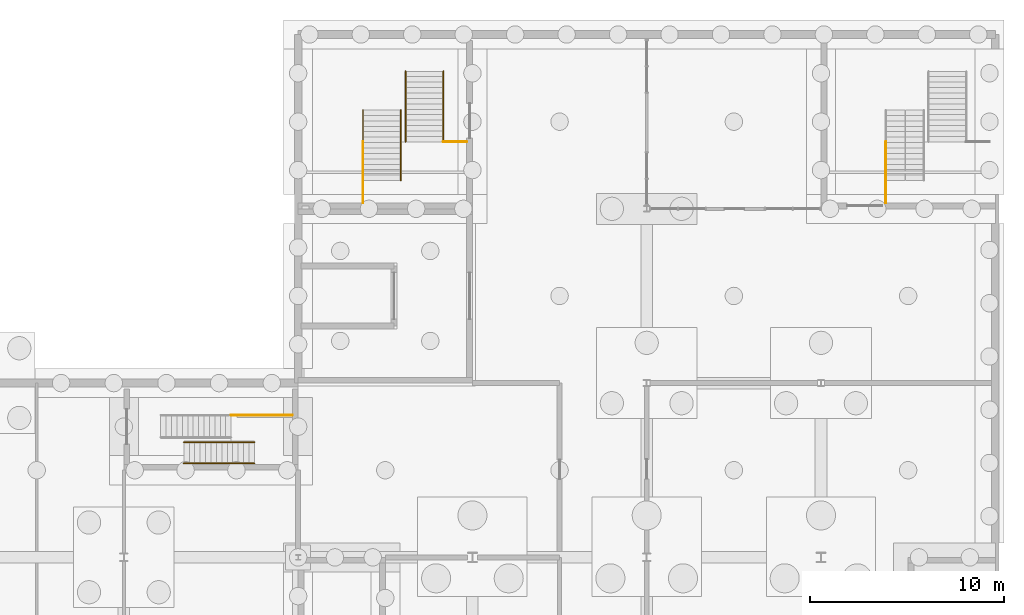
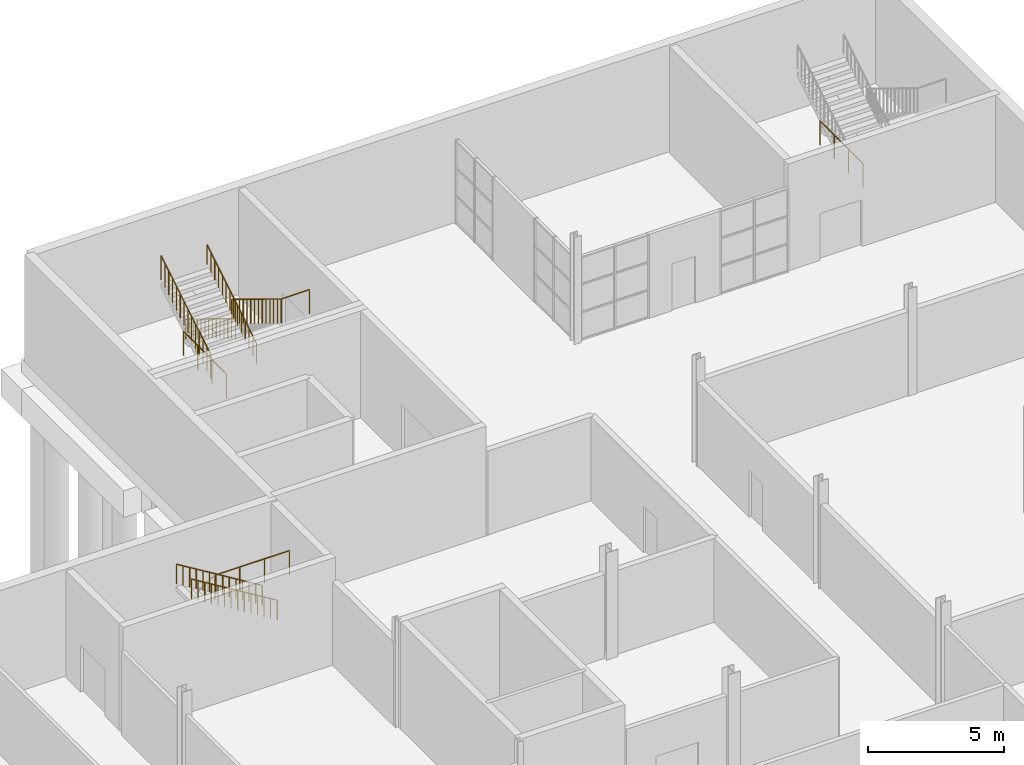
# One storey, part 16 of 17: 10 railings.
"""IFC4 building model written with IfcOpenShell, lengths in metres."""

from ifc_helpers import new_model, si_unit, direction, frame, origin, origin_2d, place, context, subcontext, project, spatial, circle, extrude, material, type_object, element, save


model = new_model("IFC4")

# Units and contexts
model_context = context("Model", 3, precision=1e-05, world=origin(), true_north=direction((0.0, 1.0)))
body_context = subcontext(model_context, "Body", "Model", "MODEL_VIEW")
ifc_project = project(units=[si_unit("LENGTHUNIT", "METRE"), si_unit("AREAUNIT", "SQUARE_METRE"), si_unit("VOLUMEUNIT", "CUBIC_METRE"), si_unit("PLANEANGLEUNIT", "RADIAN"), si_unit("MASSUNIT", "GRAM", prefix="KILO")], contexts=[model_context])

# Site, building, storey
site_placement = place(None, origin())
site = spatial("IfcSite", under=ifc_project, at=site_placement, CompositionType="ELEMENT")
building_placement = place(site_placement, origin())
building = spatial("IfcBuilding", under=site, at=building_placement, Name="Halyard Row Museum", CompositionType="ELEMENT")
storey_placement = place(building_placement, frame((0.0, 0.0, -9.60009765625)))
storey = spatial("IfcBuildingStorey", under=building, at=storey_placement, Name="B2", CompositionType="ELEMENT", Elevation=-9.60009765625)

# Railings
ifc_material_1 = material(Name="Steel Grade 300", Category="steel")
railing_type_1 = type_object("IfcRailingType", Name="Guard GR2 steel balustrade 1100", PredefinedType="GUARDRAIL", material=ifc_material_1)
railing_1_placement = place(storey_placement, frame((68.5400390625, 43.35009765625, 2.400146484375)))
element("IfcRailing", 1, at=railing_1_placement, inside=storey, type_object=railing_type_1, Name="Guard GR010", PredefinedType="GUARDRAIL", context=body_context, shape_type="SweptSolid", body=[
    extrude(circle(Radius=0.02392578125, at=origin_2d()), frame((0.0, 0.0, 1.076171875), z_axis=(1.0, 0.0, 0.0), x_axis=(0.0, 1.0, 0.0)), (0.0, 0.0, 1.0), 3.159912109375),
    extrude(circle(Radius=0.02099609375, at=origin_2d()), origin(), (0.0, 0.0, 1.0), 1.052001953125),
    extrude(circle(Radius=0.02099609375, at=origin_2d()), frame((1.05322265625, 0.0, 0.0)), (0.0, 0.0, 1.0), 1.052001953125),
    extrude(circle(Radius=0.02099609375, at=origin_2d()), frame((2.106689453125, 0.0, 0.0)), (0.0, 0.0, 1.0), 1.052001953125),
    extrude(circle(Radius=0.02099609375, at=origin_2d()), frame((3.159912109375, 0.0, 0.0)), (0.0, 0.0, 1.0), 1.052001953125),
])
railing_2_placement = place(storey_placement, frame((79.5, 61.10009765625, 0.171630859375)))
element("IfcRailing", 2, at=railing_2_placement, inside=storey, type_object=railing_type_1, Name="Guard GR092", PredefinedType="GUARDRAIL", context=body_context, shape_type="SweptSolid", body=[
    extrude(circle(Radius=0.02392578125, at=origin_2d()), frame((0.0, 0.0, 1.076171875), z_axis=(0.0, -0.852932391421, 0.522021393877), x_axis=(1.0, 0.0, 0.0)), (0.0, 0.0, 1.0), 0.328369140625),
    extrude(circle(Radius=0.02392578125, at=origin_2d()), frame((0.0, -0.280029296875, 1.24755859375), z_axis=(0.0, -0.852932391421, 0.522021393877), x_axis=(1.0, 0.0, 0.0)), (0.0, 0.0, 1.0), 0.328369140625),
    extrude(circle(Radius=0.02392578125, at=origin_2d()), frame((0.0, -0.56005859375, 1.4189453125), z_axis=(0.0, -0.852932391421, 0.522021393877), x_axis=(1.0, 0.0, 0.0)), (0.0, 0.0, 1.0), 0.328369140625),
    extrude(circle(Radius=0.02392578125, at=origin_2d()), frame((0.0, -0.840087890625, 1.59033203125), z_axis=(0.0, -0.852932391421, 0.522021393877), x_axis=(1.0, 0.0, 0.0)), (0.0, 0.0, 1.0), 0.328369140625),
    extrude(circle(Radius=0.02392578125, at=origin_2d()), frame((0.0, -1.1201171875, 1.76171875), z_axis=(0.0, -0.852932391421, 0.522021393877), x_axis=(1.0, 0.0, 0.0)), (0.0, 0.0, 1.0), 0.328369140625),
    extrude(circle(Radius=0.02392578125, at=origin_2d()), frame((0.0, -1.400146484375, 1.93310546875), z_axis=(0.0, -0.852601252411, 0.522562057929), x_axis=(1.0, 0.0, 0.0)), (0.0, 0.0, 1.0), 0.328369140625),
    extrude(circle(Radius=0.02392578125, at=origin_2d()), frame((0.0, -1.68017578125, 2.1044921875), z_axis=(0.0, -0.852932391421, 0.522021393877), x_axis=(1.0, 0.0, 0.0)), (0.0, 0.0, 1.0), 0.328369140625),
    extrude(circle(Radius=0.02392578125, at=origin_2d()), frame((0.0, -1.960205078125, 2.27587890625), z_axis=(0.0, -0.852729557261, 0.522352660731), x_axis=(1.0, 0.0, 0.0)), (0.0, 0.0, 1.0), 0.328125),
    extrude(circle(Radius=0.02392578125, at=origin_2d()), frame((0.0, -2.239990234375, 2.447265625), z_axis=(0.0, -0.852932391421, 0.522021393877), x_axis=(1.0, 0.0, 0.0)), (0.0, 0.0, 1.0), 0.328369140625),
    extrude(circle(Radius=0.02392578125, at=origin_2d()), frame((0.0, -2.52001953125, 2.61865234375), z_axis=(0.0, -0.852932391421, 0.522021393877), x_axis=(1.0, 0.0, 0.0)), (0.0, 0.0, 1.0), 0.328369140625),
    extrude(circle(Radius=0.02392578125, at=origin_2d()), frame((0.0, -2.800048828125, 2.7900390625), z_axis=(0.0, -0.852932391421, 0.522021393877), x_axis=(1.0, 0.0, 0.0)), (0.0, 0.0, 1.0), 0.328369140625),
    extrude(circle(Radius=0.02392578125, at=origin_2d()), frame((0.0, -3.080078125, 2.96142578125), z_axis=(0.0, -0.852601252411, 0.522562057929), x_axis=(1.0, 0.0, 0.0)), (0.0, 0.0, 1.0), 0.328369140625),
    extrude(circle(Radius=0.02392578125, at=origin_2d()), frame((0.0, -3.360107421875, 3.13330078125), z_axis=(0.0, -0.852932391421, 0.522021393877), x_axis=(1.0, 0.0, 0.0)), (0.0, 0.0, 1.0), 0.328369140625),
    extrude(circle(Radius=0.02099609375, at=origin_2d()), origin(), (0.0, 0.0, 1.0), 1.052001953125),
    extrude(circle(Radius=0.02099609375, at=origin_2d()), frame((0.0, -0.280029296875, 0.17138671875)), (0.0, 0.0, 1.0), 1.052001953125),
    extrude(circle(Radius=0.02099609375, at=origin_2d()), frame((0.0, -0.56005859375, 0.3427734375)), (0.0, 0.0, 1.0), 1.052001953125),
    extrude(circle(Radius=0.02099609375, at=origin_2d()), frame((0.0, -0.840087890625, 0.51416015625)), (0.0, 0.0, 1.0), 1.052001953125),
    extrude(circle(Radius=0.02099609375, at=origin_2d()), frame((0.0, -1.1201171875, 0.685546875)), (0.0, 0.0, 1.0), 1.052001953125),
    extrude(circle(Radius=0.02099609375, at=origin_2d()), frame((0.0, -1.400146484375, 0.85693359375)), (0.0, 0.0, 1.0), 1.052001953125),
    extrude(circle(Radius=0.02099609375, at=origin_2d()), frame((0.0, -1.68017578125, 1.028564453125)), (0.0, 0.0, 1.0), 1.052001953125),
    extrude(circle(Radius=0.02099609375, at=origin_2d()), frame((0.0, -1.960205078125, 1.199951171875)), (0.0, 0.0, 1.0), 1.052001953125),
    extrude(circle(Radius=0.02099609375, at=origin_2d()), frame((0.0, -2.239990234375, 1.371337890625)), (0.0, 0.0, 1.0), 1.052001953125),
    extrude(circle(Radius=0.02099609375, at=origin_2d()), frame((0.0, -2.52001953125, 1.542724609375)), (0.0, 0.0, 1.0), 1.052001953125),
    extrude(circle(Radius=0.02099609375, at=origin_2d()), frame((0.0, -2.800048828125, 1.714111328125)), (0.0, 0.0, 1.0), 1.052001953125),
    extrude(circle(Radius=0.02099609375, at=origin_2d()), frame((0.0, -3.080078125, 1.885498046875)), (0.0, 0.0, 1.0), 1.052001953125),
    extrude(circle(Radius=0.02099609375, at=origin_2d()), frame((0.0, -3.360107421875, 2.05712890625)), (0.0, 0.0, 1.0), 1.052001953125),
    extrude(circle(Radius=0.02099609375, at=origin_2d()), frame((0.0, -3.64013671875, 2.228515625)), (0.0, 0.0, 1.0), 1.052001953125),
])
railing_3_placement = place(storey_placement, frame((75.35009765625, 55.4599609375, 2.571533203125)))
element("IfcRailing", 3, at=railing_3_placement, inside=storey, type_object=railing_type_1, Name="Guard GR093", PredefinedType="GUARDRAIL", context=body_context, shape_type="SweptSolid", body=[
    extrude(circle(Radius=0.02392578125, at=origin_2d()), frame((0.0, 0.0, 1.076171875), z_axis=(0.0, 0.852932391421, 0.522021393877), x_axis=(-1.0, 0.0, 0.0)), (0.0, 0.0, 1.0), 0.328369140625),
    extrude(circle(Radius=0.02392578125, at=origin_2d()), frame((0.0, 0.280029296875, 1.24755859375), z_axis=(0.0, 0.852932391421, 0.522021393877), x_axis=(-1.0, 0.0, 0.0)), (0.0, 0.0, 1.0), 0.328369140625),
    extrude(circle(Radius=0.02392578125, at=origin_2d()), frame((0.0, 0.56005859375, 1.4189453125), z_axis=(0.0, 0.852932391421, 0.522021393877), x_axis=(-1.0, 0.0, 0.0)), (0.0, 0.0, 1.0), 0.328369140625),
    extrude(circle(Radius=0.02392578125, at=origin_2d()), frame((0.0, 0.840087890625, 1.59033203125), z_axis=(0.0, 0.852601252411, 0.522562057929), x_axis=(-1.0, 0.0, 0.0)), (0.0, 0.0, 1.0), 0.328369140625),
    extrude(circle(Radius=0.02392578125, at=origin_2d()), frame((0.0, 1.1201171875, 1.76171875), z_axis=(0.0, 0.852932391421, 0.522021393877), x_axis=(-1.0, 0.0, 0.0)), (0.0, 0.0, 1.0), 0.328369140625),
    extrude(circle(Radius=0.02392578125, at=origin_2d()), frame((0.0, 1.400146484375, 1.93310546875), z_axis=(0.0, 0.852729557261, 0.522352660731), x_axis=(-1.0, 0.0, 0.0)), (0.0, 0.0, 1.0), 0.328125),
    extrude(circle(Radius=0.02392578125, at=origin_2d()), frame((0.0, 1.679931640625, 2.1044921875), z_axis=(0.0, 0.852932391421, 0.522021393877), x_axis=(-1.0, 0.0, 0.0)), (0.0, 0.0, 1.0), 0.328369140625),
    extrude(circle(Radius=0.02392578125, at=origin_2d()), frame((0.0, 1.9599609375, 2.27587890625), z_axis=(0.0, 0.852932391421, 0.522021393877), x_axis=(-1.0, 0.0, 0.0)), (0.0, 0.0, 1.0), 0.328369140625),
    extrude(circle(Radius=0.02392578125, at=origin_2d()), frame((0.0, 2.239990234375, 2.447265625), z_axis=(0.0, 0.852601252411, 0.522562057929), x_axis=(-1.0, 0.0, 0.0)), (0.0, 0.0, 1.0), 0.328369140625),
    extrude(circle(Radius=0.02392578125, at=origin_2d()), frame((0.0, 2.52001953125, 2.619140625), z_axis=(0.0, 0.852932391421, 0.522021393877), x_axis=(-1.0, 0.0, 0.0)), (0.0, 0.0, 1.0), 0.328369140625),
    extrude(circle(Radius=0.02392578125, at=origin_2d()), frame((0.0, 2.800048828125, 2.79052734375), z_axis=(0.0, 0.852932391421, 0.522021393877), x_axis=(-1.0, 0.0, 0.0)), (0.0, 0.0, 1.0), 0.328369140625),
    extrude(circle(Radius=0.02392578125, at=origin_2d()), frame((0.0, 3.080078125, 2.9619140625), z_axis=(0.0, 0.852932391421, 0.522021393877), x_axis=(-1.0, 0.0, 0.0)), (0.0, 0.0, 1.0), 0.328369140625),
    extrude(circle(Radius=0.02392578125, at=origin_2d()), frame((0.0, 3.360107421875, 3.13330078125), z_axis=(0.0, 0.852932391421, 0.522021393877), x_axis=(-1.0, 0.0, 0.0)), (0.0, 0.0, 1.0), 0.328369140625),
    extrude(circle(Radius=0.02099609375, at=origin_2d()), origin(), (0.0, 0.0, 1.0), 1.052001953125),
    extrude(circle(Radius=0.02099609375, at=origin_2d()), frame((0.0, 0.280029296875, 0.17138671875)), (0.0, 0.0, 1.0), 1.052001953125),
    extrude(circle(Radius=0.02099609375, at=origin_2d()), frame((0.0, 0.56005859375, 0.3427734375)), (0.0, 0.0, 1.0), 1.052001953125),
    extrude(circle(Radius=0.02099609375, at=origin_2d()), frame((0.0, 0.840087890625, 0.51416015625)), (0.0, 0.0, 1.0), 1.052001953125),
    extrude(circle(Radius=0.02099609375, at=origin_2d()), frame((0.0, 1.1201171875, 0.685791015625)), (0.0, 0.0, 1.0), 1.052001953125),
    extrude(circle(Radius=0.02099609375, at=origin_2d()), frame((0.0, 1.400146484375, 0.857177734375)), (0.0, 0.0, 1.0), 1.052001953125),
    extrude(circle(Radius=0.02099609375, at=origin_2d()), frame((0.0, 1.679931640625, 1.028564453125)), (0.0, 0.0, 1.0), 1.052001953125),
    extrude(circle(Radius=0.02099609375, at=origin_2d()), frame((0.0, 1.9599609375, 1.199951171875)), (0.0, 0.0, 1.0), 1.052001953125),
    extrude(circle(Radius=0.02099609375, at=origin_2d()), frame((0.0, 2.239990234375, 1.371337890625)), (0.0, 0.0, 1.0), 1.052001953125),
    extrude(circle(Radius=0.02099609375, at=origin_2d()), frame((0.0, 2.52001953125, 1.54296875)), (0.0, 0.0, 1.0), 1.052001953125),
    extrude(circle(Radius=0.02099609375, at=origin_2d()), frame((0.0, 2.800048828125, 1.71435546875)), (0.0, 0.0, 1.0), 1.052001953125),
    extrude(circle(Radius=0.02099609375, at=origin_2d()), frame((0.0, 3.080078125, 1.8857421875)), (0.0, 0.0, 1.0), 1.052001953125),
    extrude(circle(Radius=0.02099609375, at=origin_2d()), frame((0.0, 3.360107421875, 2.05712890625)), (0.0, 0.0, 1.0), 1.052001953125),
    extrude(circle(Radius=0.02099609375, at=origin_2d()), frame((0.0, 3.64013671875, 2.228515625)), (0.0, 0.0, 1.0), 1.052001953125),
])
railing_4_placement = place(storey_placement, frame((80.699951171875, 57.4599609375, 2.400146484375)))
element("IfcRailing", 4, at=railing_4_placement, inside=storey, type_object=railing_type_1, Name="Guard GR094", PredefinedType="GUARDRAIL", context=body_context, shape_type="SweptSolid", body=[
    extrude(circle(Radius=0.02392578125, at=origin_2d()), frame((0.0, 0.0, 1.076171875), z_axis=(-1.0, 0.0, 0.0), x_axis=(0.0, -1.0, 0.0)), (0.0, 0.0, 1.0), 1.199951171875),
    extrude(circle(Radius=0.02099609375, at=origin_2d()), origin(), (0.0, 0.0, 1.0), 1.052001953125),
    extrude(circle(Radius=0.02099609375, at=origin_2d()), frame((-1.199951171875, 0.0, 0.0)), (0.0, 0.0, 1.0), 1.052001953125),
])
for number, where, name in (
    (5, (75.35009765625, 57.4599609375, 2.400146484375), "Guard GR095"),
    (6, (102.35009765625, 57.4599609375, 2.400146484375), "Guard GR111"),
):
    element("IfcRailing", number, at=place(storey_placement, frame(where)), inside=storey, type_object=railing_type_1, Name=name, PredefinedType="GUARDRAIL", context=body_context, shape_type="SweptSolid", body=[
        extrude(circle(Radius=0.02392578125, at=origin_2d()), frame((0.0, 0.0, 1.076171875), z_axis=(0.0, -1.0, 0.0), x_axis=(1.0, 0.0, 0.0)), (0.0, 0.0, 1.0), 3.159912109375),
        extrude(circle(Radius=0.02099609375, at=origin_2d()), origin(), (0.0, 0.0, 1.0), 1.052001953125),
        extrude(circle(Radius=0.02099609375, at=origin_2d()), frame((0.0, -1.05322265625, 0.0)), (0.0, 0.0, 1.0), 1.052001953125),
        extrude(circle(Radius=0.02099609375, at=origin_2d()), frame((0.0, -2.106689453125, 0.0)), (0.0, 0.0, 1.0), 1.052001953125),
        extrude(circle(Radius=0.02099609375, at=origin_2d()), frame((0.0, -3.159912109375, 0.0)), (0.0, 0.0, 1.0), 1.052001953125),
    ])
ifc_material_2 = material(Name="Steel Grade 300", Category="steel")
railing_type_2 = type_object("IfcRailingType", Name="Handrail HR2 steel 900", PredefinedType="HANDRAIL", material=ifc_material_2)
railing_5_placement = place(storey_placement, frame((69.739990234375, 40.85009765625, 2.571533203125)))
element("IfcRailing", 7, at=railing_5_placement, inside=storey, type_object=railing_type_2, Name="Handrail HR014", PredefinedType="HANDRAIL", context=body_context, shape_type="SweptSolid", body=[
    extrude(circle(Radius=0.02392578125, at=origin_2d()), frame((0.0, 0.0, 0.8759765625), z_axis=(-0.852932391421, 0.0, 0.522021393877), x_axis=(0.0, -1.0, 0.0)), (0.0, 0.0, 1.0), 0.328369140625),
    extrude(circle(Radius=0.02392578125, at=origin_2d()), frame((-0.280029296875, 0.0, 1.04736328125), z_axis=(-0.852932391421, 0.0, 0.522021393877), x_axis=(0.0, -1.0, 0.0)), (0.0, 0.0, 1.0), 0.328369140625),
    extrude(circle(Radius=0.02392578125, at=origin_2d()), frame((-0.56005859375, 0.0, 1.21875), z_axis=(-0.852932391421, 0.0, 0.522021393877), x_axis=(0.0, -1.0, 0.0)), (0.0, 0.0, 1.0), 0.328369140625),
    extrude(circle(Radius=0.02392578125, at=origin_2d()), frame((-0.840087890625, 0.0, 1.39013671875), z_axis=(-0.852398076939, 0.0, 0.522893410199), x_axis=(0.0, -1.0, 0.0)), (0.0, 0.0, 1.0), 0.328125),
    extrude(circle(Radius=0.02392578125, at=origin_2d()), frame((-1.119873046875, 0.0, 1.5615234375), z_axis=(-0.852932391421, 0.0, 0.522021393877), x_axis=(0.0, -1.0, 0.0)), (0.0, 0.0, 1.0), 0.328369140625),
    extrude(circle(Radius=0.02392578125, at=origin_2d()), frame((-1.39990234375, 0.0, 1.73291015625), z_axis=(-0.852932391421, 0.0, 0.522021393877), x_axis=(0.0, -1.0, 0.0)), (0.0, 0.0, 1.0), 0.328369140625),
    extrude(circle(Radius=0.02392578125, at=origin_2d()), frame((-1.679931640625, 0.0, 1.904296875), z_axis=(-0.852932391421, 0.0, 0.522021393877), x_axis=(0.0, -1.0, 0.0)), (0.0, 0.0, 1.0), 0.328369140625),
    extrude(circle(Radius=0.02392578125, at=origin_2d()), frame((-1.9599609375, 0.0, 2.07568359375), z_axis=(-0.852932391421, 0.0, 0.522021393877), x_axis=(0.0, -1.0, 0.0)), (0.0, 0.0, 1.0), 0.328369140625),
    extrude(circle(Radius=0.02392578125, at=origin_2d()), frame((-2.239990234375, 0.0, 2.2470703125), z_axis=(-0.852601252411, 0.0, 0.522562057929), x_axis=(0.0, -1.0, 0.0)), (0.0, 0.0, 1.0), 0.328369140625),
    extrude(circle(Radius=0.02392578125, at=origin_2d()), frame((-2.52001953125, 0.0, 2.4189453125), z_axis=(-0.852932391421, 0.0, 0.522021393877), x_axis=(0.0, -1.0, 0.0)), (0.0, 0.0, 1.0), 0.328369140625),
    extrude(circle(Radius=0.02392578125, at=origin_2d()), frame((-2.800048828125, 0.0, 2.59033203125), z_axis=(-0.852932391421, 0.0, 0.522021393877), x_axis=(0.0, -1.0, 0.0)), (0.0, 0.0, 1.0), 0.328369140625),
    extrude(circle(Radius=0.02392578125, at=origin_2d()), frame((-3.080078125, 0.0, 2.76171875), z_axis=(-0.852932391421, 0.0, 0.522021393877), x_axis=(0.0, -1.0, 0.0)), (0.0, 0.0, 1.0), 0.328369140625),
    extrude(circle(Radius=0.02392578125, at=origin_2d()), frame((-3.360107421875, 0.0, 2.93310546875), z_axis=(-0.852729557261, 0.0, 0.522352660731), x_axis=(0.0, -1.0, 0.0)), (0.0, 0.0, 1.0), 0.328125),
    extrude(circle(Radius=0.02099609375, at=origin_2d()), origin(), (0.0, 0.0, 1.0), 0.851806640625),
    extrude(circle(Radius=0.02099609375, at=origin_2d()), frame((-0.280029296875, 0.0, 0.17138671875)), (0.0, 0.0, 1.0), 0.851806640625),
    extrude(circle(Radius=0.02099609375, at=origin_2d()), frame((-0.56005859375, 0.0, 0.3427734375)), (0.0, 0.0, 1.0), 0.851806640625),
    extrude(circle(Radius=0.02099609375, at=origin_2d()), frame((-0.840087890625, 0.0, 0.51416015625)), (0.0, 0.0, 1.0), 0.851806640625),
    extrude(circle(Radius=0.02099609375, at=origin_2d()), frame((-1.119873046875, 0.0, 0.685791015625)), (0.0, 0.0, 1.0), 0.851806640625),
    extrude(circle(Radius=0.02099609375, at=origin_2d()), frame((-1.39990234375, 0.0, 0.857177734375)), (0.0, 0.0, 1.0), 0.851806640625),
    extrude(circle(Radius=0.02099609375, at=origin_2d()), frame((-1.679931640625, 0.0, 1.028564453125)), (0.0, 0.0, 1.0), 0.851806640625),
    extrude(circle(Radius=0.02099609375, at=origin_2d()), frame((-1.9599609375, 0.0, 1.199951171875)), (0.0, 0.0, 1.0), 0.851806640625),
    extrude(circle(Radius=0.02099609375, at=origin_2d()), frame((-2.239990234375, 0.0, 1.371337890625)), (0.0, 0.0, 1.0), 0.851806640625),
    extrude(circle(Radius=0.02099609375, at=origin_2d()), frame((-2.52001953125, 0.0, 1.54296875)), (0.0, 0.0, 1.0), 0.851806640625),
    extrude(circle(Radius=0.02099609375, at=origin_2d()), frame((-2.800048828125, 0.0, 1.71435546875)), (0.0, 0.0, 1.0), 0.851806640625),
    extrude(circle(Radius=0.02099609375, at=origin_2d()), frame((-3.080078125, 0.0, 1.8857421875)), (0.0, 0.0, 1.0), 0.851806640625),
    extrude(circle(Radius=0.02099609375, at=origin_2d()), frame((-3.360107421875, 0.0, 2.05712890625)), (0.0, 0.0, 1.0), 0.851806640625),
    extrude(circle(Radius=0.02099609375, at=origin_2d()), frame((-3.639892578125, 0.0, 2.228515625)), (0.0, 0.0, 1.0), 0.851806640625),
])
railing_6_placement = place(storey_placement, frame((69.739990234375, 41.949951171875, 2.571533203125)))
element("IfcRailing", 8, at=railing_6_placement, inside=storey, type_object=railing_type_2, Name="Handrail HR015", PredefinedType="HANDRAIL", context=body_context, shape_type="SweptSolid", body=[
    extrude(circle(Radius=0.02392578125, at=origin_2d()), frame((0.0, 0.0, 0.8759765625), z_axis=(-0.852932391421, 0.0, 0.522021393877), x_axis=(0.0, -1.0, 0.0)), (0.0, 0.0, 1.0), 0.328369140625),
    extrude(circle(Radius=0.02392578125, at=origin_2d()), frame((-0.280029296875, 0.0, 1.04736328125), z_axis=(-0.852932391421, 0.0, 0.522021393877), x_axis=(0.0, -1.0, 0.0)), (0.0, 0.0, 1.0), 0.328369140625),
    extrude(circle(Radius=0.02392578125, at=origin_2d()), frame((-0.56005859375, 0.0, 1.21875), z_axis=(-0.852932391421, 0.0, 0.522021393877), x_axis=(0.0, -1.0, 0.0)), (0.0, 0.0, 1.0), 0.328369140625),
    extrude(circle(Radius=0.02392578125, at=origin_2d()), frame((-0.840087890625, 0.0, 1.39013671875), z_axis=(-0.852398076939, 0.0, 0.522893410199), x_axis=(0.0, -1.0, 0.0)), (0.0, 0.0, 1.0), 0.328125),
    extrude(circle(Radius=0.02392578125, at=origin_2d()), frame((-1.119873046875, 0.0, 1.5615234375), z_axis=(-0.852932391421, 0.0, 0.522021393877), x_axis=(0.0, -1.0, 0.0)), (0.0, 0.0, 1.0), 0.328369140625),
    extrude(circle(Radius=0.02392578125, at=origin_2d()), frame((-1.39990234375, 0.0, 1.73291015625), z_axis=(-0.852932391421, 0.0, 0.522021393877), x_axis=(0.0, -1.0, 0.0)), (0.0, 0.0, 1.0), 0.328369140625),
    extrude(circle(Radius=0.02392578125, at=origin_2d()), frame((-1.679931640625, 0.0, 1.904296875), z_axis=(-0.852932391421, 0.0, 0.522021393877), x_axis=(0.0, -1.0, 0.0)), (0.0, 0.0, 1.0), 0.328369140625),
    extrude(circle(Radius=0.02392578125, at=origin_2d()), frame((-1.9599609375, 0.0, 2.07568359375), z_axis=(-0.852932391421, 0.0, 0.522021393877), x_axis=(0.0, -1.0, 0.0)), (0.0, 0.0, 1.0), 0.328369140625),
    extrude(circle(Radius=0.02392578125, at=origin_2d()), frame((-2.239990234375, 0.0, 2.2470703125), z_axis=(-0.852601252411, 0.0, 0.522562057929), x_axis=(0.0, -1.0, 0.0)), (0.0, 0.0, 1.0), 0.328369140625),
    extrude(circle(Radius=0.02392578125, at=origin_2d()), frame((-2.52001953125, 0.0, 2.4189453125), z_axis=(-0.852932391421, 0.0, 0.522021393877), x_axis=(0.0, -1.0, 0.0)), (0.0, 0.0, 1.0), 0.328369140625),
    extrude(circle(Radius=0.02392578125, at=origin_2d()), frame((-2.800048828125, 0.0, 2.59033203125), z_axis=(-0.852932391421, 0.0, 0.522021393877), x_axis=(0.0, -1.0, 0.0)), (0.0, 0.0, 1.0), 0.328369140625),
    extrude(circle(Radius=0.02392578125, at=origin_2d()), frame((-3.080078125, 0.0, 2.76171875), z_axis=(-0.852932391421, 0.0, 0.522021393877), x_axis=(0.0, -1.0, 0.0)), (0.0, 0.0, 1.0), 0.328369140625),
    extrude(circle(Radius=0.02392578125, at=origin_2d()), frame((-3.360107421875, 0.0, 2.93310546875), z_axis=(-0.852729557261, 0.0, 0.522352660731), x_axis=(0.0, -1.0, 0.0)), (0.0, 0.0, 1.0), 0.328125),
    extrude(circle(Radius=0.02099609375, at=origin_2d()), origin(), (0.0, 0.0, 1.0), 0.851806640625),
    extrude(circle(Radius=0.02099609375, at=origin_2d()), frame((-0.280029296875, 0.0, 0.17138671875)), (0.0, 0.0, 1.0), 0.851806640625),
    extrude(circle(Radius=0.02099609375, at=origin_2d()), frame((-0.56005859375, 0.0, 0.3427734375)), (0.0, 0.0, 1.0), 0.851806640625),
    extrude(circle(Radius=0.02099609375, at=origin_2d()), frame((-0.840087890625, 0.0, 0.51416015625)), (0.0, 0.0, 1.0), 0.851806640625),
    extrude(circle(Radius=0.02099609375, at=origin_2d()), frame((-1.119873046875, 0.0, 0.685791015625)), (0.0, 0.0, 1.0), 0.851806640625),
    extrude(circle(Radius=0.02099609375, at=origin_2d()), frame((-1.39990234375, 0.0, 0.857177734375)), (0.0, 0.0, 1.0), 0.851806640625),
    extrude(circle(Radius=0.02099609375, at=origin_2d()), frame((-1.679931640625, 0.0, 1.028564453125)), (0.0, 0.0, 1.0), 0.851806640625),
    extrude(circle(Radius=0.02099609375, at=origin_2d()), frame((-1.9599609375, 0.0, 1.199951171875)), (0.0, 0.0, 1.0), 0.851806640625),
    extrude(circle(Radius=0.02099609375, at=origin_2d()), frame((-2.239990234375, 0.0, 1.371337890625)), (0.0, 0.0, 1.0), 0.851806640625),
    extrude(circle(Radius=0.02099609375, at=origin_2d()), frame((-2.52001953125, 0.0, 1.54296875)), (0.0, 0.0, 1.0), 0.851806640625),
    extrude(circle(Radius=0.02099609375, at=origin_2d()), frame((-2.800048828125, 0.0, 1.71435546875)), (0.0, 0.0, 1.0), 0.851806640625),
    extrude(circle(Radius=0.02099609375, at=origin_2d()), frame((-3.080078125, 0.0, 1.8857421875)), (0.0, 0.0, 1.0), 0.851806640625),
    extrude(circle(Radius=0.02099609375, at=origin_2d()), frame((-3.360107421875, 0.0, 2.05712890625)), (0.0, 0.0, 1.0), 0.851806640625),
    extrude(circle(Radius=0.02099609375, at=origin_2d()), frame((-3.639892578125, 0.0, 2.228515625)), (0.0, 0.0, 1.0), 0.851806640625),
])
railing_7_placement = place(storey_placement, frame((77.550048828125, 61.10009765625, 0.171630859375)))
element("IfcRailing", 9, at=railing_7_placement, inside=storey, type_object=railing_type_2, Name="Handrail HR133", PredefinedType="HANDRAIL", context=body_context, shape_type="SweptSolid", body=[
    extrude(circle(Radius=0.02392578125, at=origin_2d()), frame((0.0, 0.0, 0.8759765625), z_axis=(0.0, -0.852932391421, 0.522021393877), x_axis=(1.0, 0.0, 0.0)), (0.0, 0.0, 1.0), 0.328369140625),
    extrude(circle(Radius=0.02392578125, at=origin_2d()), frame((0.0, -0.280029296875, 1.04736328125), z_axis=(0.0, -0.852932391421, 0.522021393877), x_axis=(1.0, 0.0, 0.0)), (0.0, 0.0, 1.0), 0.328369140625),
    extrude(circle(Radius=0.02392578125, at=origin_2d()), frame((0.0, -0.56005859375, 1.21875), z_axis=(0.0, -0.852932391421, 0.522021393877), x_axis=(1.0, 0.0, 0.0)), (0.0, 0.0, 1.0), 0.328369140625),
    extrude(circle(Radius=0.02392578125, at=origin_2d()), frame((0.0, -0.840087890625, 1.39013671875), z_axis=(0.0, -0.852932391421, 0.522021393877), x_axis=(1.0, 0.0, 0.0)), (0.0, 0.0, 1.0), 0.328369140625),
    extrude(circle(Radius=0.02392578125, at=origin_2d()), frame((0.0, -1.1201171875, 1.5615234375), z_axis=(0.0, -0.852932391421, 0.522021393877), x_axis=(1.0, 0.0, 0.0)), (0.0, 0.0, 1.0), 0.328369140625),
    extrude(circle(Radius=0.02392578125, at=origin_2d()), frame((0.0, -1.400146484375, 1.73291015625), z_axis=(0.0, -0.852601252411, 0.522562057929), x_axis=(1.0, 0.0, 0.0)), (0.0, 0.0, 1.0), 0.328369140625),
    extrude(circle(Radius=0.02392578125, at=origin_2d()), frame((0.0, -1.68017578125, 1.904296875), z_axis=(0.0, -0.852932391421, 0.522021393877), x_axis=(1.0, 0.0, 0.0)), (0.0, 0.0, 1.0), 0.328369140625),
    extrude(circle(Radius=0.02392578125, at=origin_2d()), frame((0.0, -1.960205078125, 2.07568359375), z_axis=(0.0, -0.852729557261, 0.522352660731), x_axis=(1.0, 0.0, 0.0)), (0.0, 0.0, 1.0), 0.328125),
    extrude(circle(Radius=0.02392578125, at=origin_2d()), frame((0.0, -2.239990234375, 2.2470703125), z_axis=(0.0, -0.852932391421, 0.522021393877), x_axis=(1.0, 0.0, 0.0)), (0.0, 0.0, 1.0), 0.328369140625),
    extrude(circle(Radius=0.02392578125, at=origin_2d()), frame((0.0, -2.52001953125, 2.41845703125), z_axis=(0.0, -0.852932391421, 0.522021393877), x_axis=(1.0, 0.0, 0.0)), (0.0, 0.0, 1.0), 0.328369140625),
    extrude(circle(Radius=0.02392578125, at=origin_2d()), frame((0.0, -2.800048828125, 2.58984375), z_axis=(0.0, -0.852932391421, 0.522021393877), x_axis=(1.0, 0.0, 0.0)), (0.0, 0.0, 1.0), 0.328369140625),
    extrude(circle(Radius=0.02392578125, at=origin_2d()), frame((0.0, -3.080078125, 2.76123046875), z_axis=(0.0, -0.852601252411, 0.522562057929), x_axis=(1.0, 0.0, 0.0)), (0.0, 0.0, 1.0), 0.328369140625),
    extrude(circle(Radius=0.02392578125, at=origin_2d()), frame((0.0, -3.360107421875, 2.93310546875), z_axis=(0.0, -0.852932391421, 0.522021393877), x_axis=(1.0, 0.0, 0.0)), (0.0, 0.0, 1.0), 0.328369140625),
    extrude(circle(Radius=0.02099609375, at=origin_2d()), origin(), (0.0, 0.0, 1.0), 0.851806640625),
    extrude(circle(Radius=0.02099609375, at=origin_2d()), frame((0.0, -0.280029296875, 0.17138671875)), (0.0, 0.0, 1.0), 0.851806640625),
    extrude(circle(Radius=0.02099609375, at=origin_2d()), frame((0.0, -0.56005859375, 0.3427734375)), (0.0, 0.0, 1.0), 0.851806640625),
    extrude(circle(Radius=0.02099609375, at=origin_2d()), frame((0.0, -0.840087890625, 0.51416015625)), (0.0, 0.0, 1.0), 0.851806640625),
    extrude(circle(Radius=0.02099609375, at=origin_2d()), frame((0.0, -1.1201171875, 0.685546875)), (0.0, 0.0, 1.0), 0.851806640625),
    extrude(circle(Radius=0.02099609375, at=origin_2d()), frame((0.0, -1.400146484375, 0.85693359375)), (0.0, 0.0, 1.0), 0.851806640625),
    extrude(circle(Radius=0.02099609375, at=origin_2d()), frame((0.0, -1.68017578125, 1.028564453125)), (0.0, 0.0, 1.0), 0.851806640625),
    extrude(circle(Radius=0.02099609375, at=origin_2d()), frame((0.0, -1.960205078125, 1.199951171875)), (0.0, 0.0, 1.0), 0.851806640625),
    extrude(circle(Radius=0.02099609375, at=origin_2d()), frame((0.0, -2.239990234375, 1.371337890625)), (0.0, 0.0, 1.0), 0.851806640625),
    extrude(circle(Radius=0.02099609375, at=origin_2d()), frame((0.0, -2.52001953125, 1.542724609375)), (0.0, 0.0, 1.0), 0.851806640625),
    extrude(circle(Radius=0.02099609375, at=origin_2d()), frame((0.0, -2.800048828125, 1.714111328125)), (0.0, 0.0, 1.0), 0.851806640625),
    extrude(circle(Radius=0.02099609375, at=origin_2d()), frame((0.0, -3.080078125, 1.885498046875)), (0.0, 0.0, 1.0), 0.851806640625),
    extrude(circle(Radius=0.02099609375, at=origin_2d()), frame((0.0, -3.360107421875, 2.05712890625)), (0.0, 0.0, 1.0), 0.851806640625),
    extrude(circle(Radius=0.02099609375, at=origin_2d()), frame((0.0, -3.64013671875, 2.228515625)), (0.0, 0.0, 1.0), 0.851806640625),
])
railing_8_placement = place(storey_placement, frame((77.300048828125, 55.4599609375, 2.571533203125)))
element("IfcRailing", 10, at=railing_8_placement, inside=storey, type_object=railing_type_2, Name="Handrail HR134", PredefinedType="HANDRAIL", context=body_context, shape_type="SweptSolid", body=[
    extrude(circle(Radius=0.02392578125, at=origin_2d()), frame((0.0, 0.0, 0.8759765625), z_axis=(0.0, 0.852932391421, 0.522021393877), x_axis=(-1.0, 0.0, 0.0)), (0.0, 0.0, 1.0), 0.328369140625),
    extrude(circle(Radius=0.02392578125, at=origin_2d()), frame((0.0, 0.280029296875, 1.04736328125), z_axis=(0.0, 0.852932391421, 0.522021393877), x_axis=(-1.0, 0.0, 0.0)), (0.0, 0.0, 1.0), 0.328369140625),
    extrude(circle(Radius=0.02392578125, at=origin_2d()), frame((0.0, 0.56005859375, 1.21875), z_axis=(0.0, 0.852932391421, 0.522021393877), x_axis=(-1.0, 0.0, 0.0)), (0.0, 0.0, 1.0), 0.328369140625),
    extrude(circle(Radius=0.02392578125, at=origin_2d()), frame((0.0, 0.840087890625, 1.39013671875), z_axis=(0.0, 0.852601252411, 0.522562057929), x_axis=(-1.0, 0.0, 0.0)), (0.0, 0.0, 1.0), 0.328369140625),
    extrude(circle(Radius=0.02392578125, at=origin_2d()), frame((0.0, 1.1201171875, 1.5615234375), z_axis=(0.0, 0.852932391421, 0.522021393877), x_axis=(-1.0, 0.0, 0.0)), (0.0, 0.0, 1.0), 0.328369140625),
    extrude(circle(Radius=0.02392578125, at=origin_2d()), frame((0.0, 1.400146484375, 1.73291015625), z_axis=(0.0, 0.852729557261, 0.522352660731), x_axis=(-1.0, 0.0, 0.0)), (0.0, 0.0, 1.0), 0.328125),
    extrude(circle(Radius=0.02392578125, at=origin_2d()), frame((0.0, 1.679931640625, 1.904296875), z_axis=(0.0, 0.852932391421, 0.522021393877), x_axis=(-1.0, 0.0, 0.0)), (0.0, 0.0, 1.0), 0.328369140625),
    extrude(circle(Radius=0.02392578125, at=origin_2d()), frame((0.0, 1.9599609375, 2.07568359375), z_axis=(0.0, 0.852932391421, 0.522021393877), x_axis=(-1.0, 0.0, 0.0)), (0.0, 0.0, 1.0), 0.328369140625),
    extrude(circle(Radius=0.02392578125, at=origin_2d()), frame((0.0, 2.239990234375, 2.2470703125), z_axis=(0.0, 0.852601252411, 0.522562057929), x_axis=(-1.0, 0.0, 0.0)), (0.0, 0.0, 1.0), 0.328369140625),
    extrude(circle(Radius=0.02392578125, at=origin_2d()), frame((0.0, 2.52001953125, 2.4189453125), z_axis=(0.0, 0.852932391421, 0.522021393877), x_axis=(-1.0, 0.0, 0.0)), (0.0, 0.0, 1.0), 0.328369140625),
    extrude(circle(Radius=0.02392578125, at=origin_2d()), frame((0.0, 2.800048828125, 2.59033203125), z_axis=(0.0, 0.852932391421, 0.522021393877), x_axis=(-1.0, 0.0, 0.0)), (0.0, 0.0, 1.0), 0.328369140625),
    extrude(circle(Radius=0.02392578125, at=origin_2d()), frame((0.0, 3.080078125, 2.76171875), z_axis=(0.0, 0.852932391421, 0.522021393877), x_axis=(-1.0, 0.0, 0.0)), (0.0, 0.0, 1.0), 0.328369140625),
    extrude(circle(Radius=0.02392578125, at=origin_2d()), frame((0.0, 3.360107421875, 2.93310546875), z_axis=(0.0, 0.852932391421, 0.522021393877), x_axis=(-1.0, 0.0, 0.0)), (0.0, 0.0, 1.0), 0.328369140625),
    extrude(circle(Radius=0.02099609375, at=origin_2d()), origin(), (0.0, 0.0, 1.0), 0.851806640625),
    extrude(circle(Radius=0.02099609375, at=origin_2d()), frame((0.0, 0.280029296875, 0.17138671875)), (0.0, 0.0, 1.0), 0.851806640625),
    extrude(circle(Radius=0.02099609375, at=origin_2d()), frame((0.0, 0.56005859375, 0.3427734375)), (0.0, 0.0, 1.0), 0.851806640625),
    extrude(circle(Radius=0.02099609375, at=origin_2d()), frame((0.0, 0.840087890625, 0.51416015625)), (0.0, 0.0, 1.0), 0.851806640625),
    extrude(circle(Radius=0.02099609375, at=origin_2d()), frame((0.0, 1.1201171875, 0.685791015625)), (0.0, 0.0, 1.0), 0.851806640625),
    extrude(circle(Radius=0.02099609375, at=origin_2d()), frame((0.0, 1.400146484375, 0.857177734375)), (0.0, 0.0, 1.0), 0.851806640625),
    extrude(circle(Radius=0.02099609375, at=origin_2d()), frame((0.0, 1.679931640625, 1.028564453125)), (0.0, 0.0, 1.0), 0.851806640625),
    extrude(circle(Radius=0.02099609375, at=origin_2d()), frame((0.0, 1.9599609375, 1.199951171875)), (0.0, 0.0, 1.0), 0.851806640625),
    extrude(circle(Radius=0.02099609375, at=origin_2d()), frame((0.0, 2.239990234375, 1.371337890625)), (0.0, 0.0, 1.0), 0.851806640625),
    extrude(circle(Radius=0.02099609375, at=origin_2d()), frame((0.0, 2.52001953125, 1.54296875)), (0.0, 0.0, 1.0), 0.851806640625),
    extrude(circle(Radius=0.02099609375, at=origin_2d()), frame((0.0, 2.800048828125, 1.71435546875)), (0.0, 0.0, 1.0), 0.851806640625),
    extrude(circle(Radius=0.02099609375, at=origin_2d()), frame((0.0, 3.080078125, 1.8857421875)), (0.0, 0.0, 1.0), 0.851806640625),
    extrude(circle(Radius=0.02099609375, at=origin_2d()), frame((0.0, 3.360107421875, 2.05712890625)), (0.0, 0.0, 1.0), 0.851806640625),
    extrude(circle(Radius=0.02099609375, at=origin_2d()), frame((0.0, 3.64013671875, 2.228515625)), (0.0, 0.0, 1.0), 0.851806640625),
])

save(model, "model.ifc")
